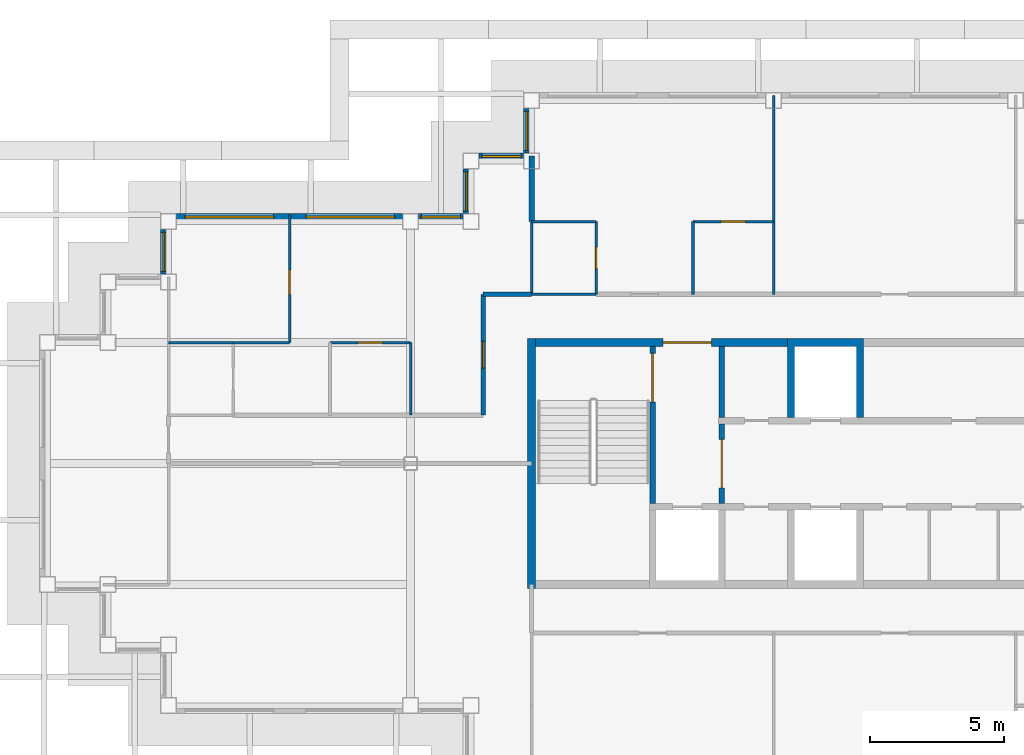
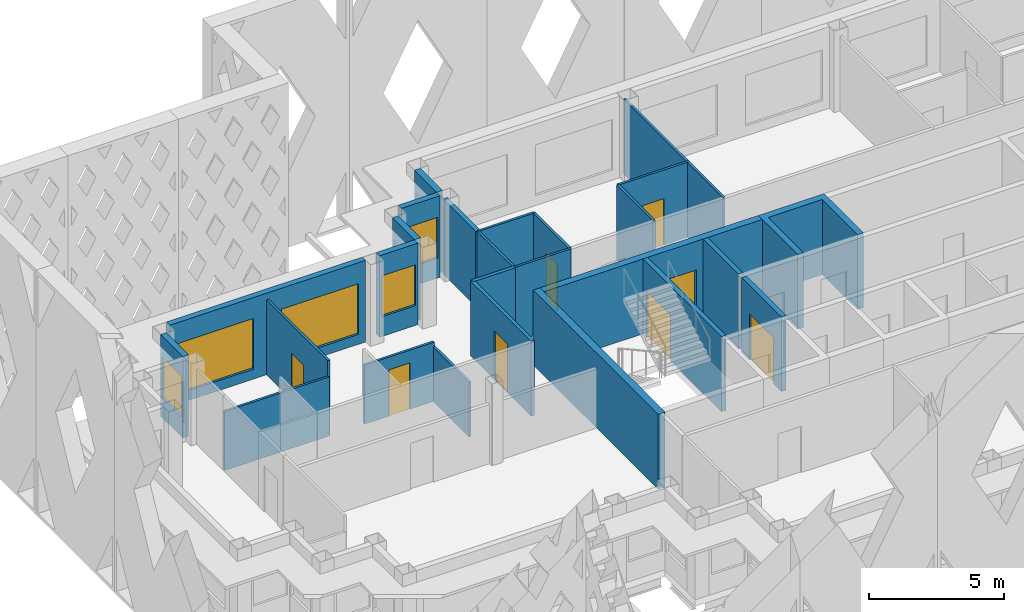
# One storey, part 3 of 13: 27 walls, 8 doors, 7 windows, 15 openings.
"""IFC4 building model written with IfcOpenShell, lengths in metres."""

from ifc_helpers import new_model, si_unit, direction, frame, frame_2d, origin, place, context, subcontext, project, spatial, polyline, rectangle, outline, extrude, material, layer, layer_set, type_object, element, fill, save


model = new_model("IFC4")

# Units and contexts
model_context = context("Model", 3, precision=1e-05, world=origin(), true_north=direction((0.0, 1.0)))
body_context = subcontext(model_context, "Body", "Model", "MODEL_VIEW")
ifc_project = project(units=[si_unit("LENGTHUNIT", "METRE"), si_unit("AREAUNIT", "SQUARE_METRE"), si_unit("VOLUMEUNIT", "CUBIC_METRE"), si_unit("PLANEANGLEUNIT", "RADIAN"), si_unit("MASSUNIT", "GRAM", prefix="KILO")], contexts=[model_context])

# Site, building, storey
site_placement = place(None, origin())
site = spatial("IfcSite", under=ifc_project, at=site_placement, CompositionType="ELEMENT")
building_placement = place(site_placement, origin())
building = spatial("IfcBuilding", under=site, at=building_placement, Name="Caravel Reach Hotel and Residences", CompositionType="ELEMENT")
storey_placement = place(building_placement, frame((0.0, 0.0, 267.5)))
storey = spatial("IfcBuildingStorey", under=building, at=storey_placement, Name="L68", CompositionType="ELEMENT", Elevation=267.5)

# Walls
ifc_material_1 = material(Name="Gypsum board on steel stud", Category="steel")
ifc_layer_1 = layer(ifc_material_1, 0.10009765625)
ifc_layer_set_1 = layer_set([ifc_layer_1], Name="Bathroom pod wall 100 mm")
wall_type_1 = type_object("IfcWallType", Name="Bathroom pod wall 100 mm", PredefinedType="PARTITIONING", material=ifc_layer_set_1)
wall_1_placement = place(storey_placement, frame((4.5, 31.5, 0.0), z_axis=(0.0, 0.0, 1.0), x_axis=(1.0, 0.0, 0.0)))
element("IfcWall", 1, at=wall_1_placement, inside=storey, type_object=wall_type_1, Name="L68 wall w053", PredefinedType="PARTITIONING", context=body_context, shape_type="SweptSolid", body=[
    extrude(rectangle(XDim=2.39990234375, YDim=0.10009765625, at=frame_2d((1.199951171875, 0.0))), origin(), (0.0, 0.0, 1.0), 2.679931640625),
])
for number, where, z_axis, x_axis, name in (
    (2, (18.0, 33.300048828125, 0.0), (0.0, 0.0, 1.0), (1.0, 0.0, 0.0), "L68 wall w054"),
    (3, (18.0, 36.0, 0.0), (0.0, 0.0, 1.0), (1.0, 0.0, 0.0), "L68 wall w056"),
):
    element("IfcWall", number, at=place(storey_placement, frame(where, z_axis=z_axis, x_axis=x_axis)), inside=storey, type_object=wall_type_1, Name=name, PredefinedType="PARTITIONING", context=body_context, shape_type="SweptSolid", body=[
        extrude(rectangle(XDim=2.39990234375, YDim=0.10009765625, at=frame_2d((1.199951171875, 0.0))), origin(), (0.0, 0.0, 1.0), 3.39990234375),
    ])
wall_2_placement = place(storey_placement, frame((18.0, 33.301025390625, 0.0), z_axis=(0.0, 0.0, 1.0), x_axis=(0.0, 1.0, 0.0)))
element("IfcWall", 4, at=wall_2_placement, inside=storey, type_object=wall_type_1, Name="L68 wall w058", PredefinedType="PARTITIONING", context=body_context, shape_type="SweptSolid", body=[
    extrude(rectangle(XDim=2.698974609375, YDim=0.10009765625, at=frame_2d((1.349609375, 0.0))), origin(), (0.0, 0.0, 1.0), 3.39990234375),
])

# Wall, opening, door
wall_3_placement = place(storey_placement, frame((20.39990234375, 33.300048828125, 0.0), z_axis=(0.0, 0.0, 1.0), x_axis=(0.0, 1.0, 0.0)))
wall_3 = element("IfcWall", 5, at=wall_3_placement, inside=storey, type_object=wall_type_1, Name="L68 wall w059", PredefinedType="PARTITIONING", context=body_context, shape_type="SweptSolid", body=[
    extrude(rectangle(XDim=2.699951171875, YDim=0.10009765625, at=frame_2d((1.35009765625, 0.0))), origin(), (0.0, 0.0, 1.0), 3.39990234375),
])
opening_1_placement = place(wall_3_placement, frame((0.949951171875, 0.0, 0.0)))
opening_1 = element("IfcOpeningElement", 6, at=opening_1_placement, cuts=wall_3, Name="Opening D68-018", PredefinedType="OPENING", context=body_context, shape_type="SweptSolid", body=[
    extrude(rectangle(XDim=0.800048828125, YDim=2.10009765625, at=frame_2d((0.39990234375, 1.050048828125))), frame((0.0, 0.06005859375, 0.0), z_axis=(0.0, -1.0, 0.0), x_axis=(1.0, 0.0, 0.0)), (0.0, 0.0, 1.0), 0.1201171875),
])
ifc_material_2 = material(Name="Timber and steel door leaf", Category="steel")
door_type_1 = type_object("IfcDoorType", Name="Bathroom door 800 x 2100", OperationType="SINGLE_SWING_LEFT", PredefinedType="DOOR", material=ifc_material_2)
door_1_placement = place(opening_1_placement, origin())
door_1 = element("IfcDoor", 7, at=door_1_placement, inside=storey, type_object=door_type_1, Name="door D68-018", OperationType="SINGLE_SWING_RIGHT", OverallHeight=2.10009765625, OverallWidth=0.800048828125, PredefinedType="DOOR", context=body_context, shape_type="SweptSolid", body=[
    extrude(rectangle(XDim=0.800048828125, YDim=2.10009765625, at=frame_2d((0.39990234375, 1.050048828125))), frame((0.0, 0.02490234375, 0.0), z_axis=(0.0, -1.0, 0.0), x_axis=(1.0, 0.0, 0.0)), (0.0, 0.0, 1.0), 0.050048828125),
])
fill(opening_1, door_1)

# Wall
ifc_material_3 = material(Name="Autoclaved aerated block wall")
ifc_layer_2 = layer(ifc_material_3, 0.199951171875)
ifc_layer_set_2 = layer_set([ifc_layer_2], Name="Compartment wall 200 mm EI 120")
wall_type_2 = type_object("IfcWallType", Name="Compartment wall 200 mm EI 120", PredefinedType="PARTITIONING", material=ifc_layer_set_2)
wall_4_placement = place(storey_placement, frame((25.071533203125, 28.72509765625, 0.0), z_axis=(0.0, 0.0, 1.0), x_axis=(0.0, 1.0, 0.0)))
element("IfcWall", 8, at=wall_4_placement, inside=storey, type_object=wall_type_2, Name="L68 store partition", PredefinedType="PARTITIONING", context=body_context, shape_type="SweptSolid", body=[
    extrude(rectangle(XDim=2.625, YDim=0.199951171875, at=frame_2d((1.3125, 0.0))), origin(), (0.0, 0.0, 1.0), 3.39990234375),
])

# Wall, opening, door
ifc_material_4 = material(Name="Concrete C60", Category="concrete")
ifc_layer_3 = layer(ifc_material_4, 0.300048828125)
ifc_layer_set_3 = layer_set([ifc_layer_3], Name="Core wall 300 mm EI 120")
wall_type_3 = type_object("IfcWallType", Name="Core wall 300 mm EI 120", PredefinedType="SHEAR", material=ifc_layer_set_3)
wall_5_placement = place(storey_placement, frame((18.14990234375, 31.5, 0.0), z_axis=(0.0, 0.0, 1.0), x_axis=(1.0, 0.0, 0.0)))
wall_5 = element("IfcWall", 9, at=wall_5_placement, inside=storey, type_object=wall_type_3, Name="L68 core wall N1", PredefinedType="SHEAR", context=body_context, shape_type="SweptSolid", body=[
    extrude(rectangle(XDim=9.367919921875, YDim=0.300048828125, at=frame_2d((4.68408203125, 0.0))), origin(), (0.0, 0.0, 1.0), 3.39990234375),
])
opening_2_placement = place(wall_5_placement, frame((4.735595703125, 0.0, 0.0)))
opening_2 = element("IfcOpeningElement", 10, at=opening_2_placement, cuts=wall_5, Name="Opening D68-015", PredefinedType="OPENING", context=body_context, shape_type="SweptSolid", body=[
    extrude(rectangle(XDim=1.800048828125, YDim=2.10009765625, at=frame_2d((0.89990234375, 1.050048828125))), frame((0.0, 0.159912109375, 0.0), z_axis=(0.0, -1.0, 0.0), x_axis=(1.0, 0.0, 0.0)), (0.0, 0.0, 1.0), 0.320068359375),
])
ifc_material_5 = material(Name="Steel fire door leaf", Category="steel")
door_type_2 = type_object("IfcDoorType", Name="Fire lobby door pair 1800 x 2100 EI 90", OperationType="DOUBLE_DOOR_SINGLE_SWING", PredefinedType="DOOR", material=ifc_material_5)
door_2_placement = place(opening_2_placement, origin())
door_2 = element("IfcDoor", 11, at=door_2_placement, inside=storey, type_object=door_type_2, Name="lobby N door pair to corridor", OperationType="DOUBLE_DOOR_SINGLE_SWING", OverallHeight=2.10009765625, OverallWidth=1.800048828125, PredefinedType="DOOR", context=body_context, shape_type="SweptSolid", body=[
    extrude(rectangle(XDim=1.800048828125, YDim=2.10009765625, at=frame_2d((0.89990234375, 1.050048828125))), frame((0.0, 0.02490234375, 0.0), z_axis=(0.0, -1.0, 0.0), x_axis=(1.0, 0.0, 0.0)), (0.0, 0.0, 1.0), 0.050048828125),
])
fill(opening_2, door_2)

# Walls
wall_6_placement = place(storey_placement, frame((18.0, 22.35009765625, 0.0), z_axis=(0.0, 0.0, 1.0), x_axis=(0.0, 1.0, 0.0)))
element("IfcWall", 12, at=wall_6_placement, inside=storey, type_object=wall_type_3, Name="L68 core wall W", PredefinedType="SHEAR", context=body_context, shape_type="SweptSolid", body=[
    extrude(rectangle(XDim=9.2998046875, YDim=0.300048828125, at=frame_2d((4.64990234375, 0.0))), origin(), (0.0, 0.0, 1.0), 3.39990234375),
])
ifc_material_6 = material(Name="Gypsum board on steel stud, fire-rated", Category="steel")
ifc_layer_4 = layer(ifc_material_6, 0.14990234375)
ifc_layer_set_4 = layer_set([ifc_layer_4], Name="Corridor wall 150 mm EI 60")
wall_type_4 = type_object("IfcWallType", Name="Corridor wall 150 mm EI 60", PredefinedType="PARTITIONING", material=ifc_layer_set_4)
wall_7_placement = place(storey_placement, frame((16.199951171875, 33.300048828125, 0.0), z_axis=(0.0, 0.0, 1.0), x_axis=(1.0, 0.0, 0.0)))
element("IfcWall", 13, at=wall_7_placement, inside=storey, type_object=wall_type_4, Name="L68 wall w016", PredefinedType="PARTITIONING", context=body_context, shape_type="SweptSolid", body=[
    extrude(rectangle(XDim=1.799072265625, YDim=0.14990234375, at=frame_2d((0.8994140625, 0.0))), origin(), (0.0, 0.0, 1.0), 3.39990234375),
])

# Wall, opening, door
wall_8_placement = place(storey_placement, frame((16.199951171875, 28.801025390625, 0.0), z_axis=(0.0, 0.0, 1.0), x_axis=(0.0, 1.0, 0.0)))
wall_8 = element("IfcWall", 14, at=wall_8_placement, inside=storey, type_object=wall_type_4, Name="L68 wall w017", PredefinedType="PARTITIONING", context=body_context, shape_type="SweptSolid", body=[
    extrude(rectangle(XDim=4.4990234375, YDim=0.14990234375, at=frame_2d((2.24951171875, 0.0))), origin(), (0.0, 0.0, 1.0), 3.39990234375),
])
opening_3_placement = place(wall_8_placement, frame((1.74951171875, 0.0, 0.0)))
opening_3 = element("IfcOpeningElement", 15, at=opening_3_placement, cuts=wall_8, Name="Opening D68-025", PredefinedType="OPENING", context=body_context, shape_type="SweptSolid", body=[
    extrude(rectangle(XDim=1.0, YDim=2.199951171875, at=frame_2d((0.5, 1.10009765625))), frame((0.0, 0.0849609375, 0.0), z_axis=(0.0, -1.0, 0.0), x_axis=(1.0, 0.0, 0.0)), (0.0, 0.0, 1.0), 0.169921875),
])
ifc_material_7 = material(Name="Steel fire door leaf", Category="steel")
door_type_3 = type_object("IfcDoorType", Name="Flat entrance door 1000 x 2200 EI 60", OperationType="SINGLE_SWING_LEFT", PredefinedType="DOOR", material=ifc_material_7)
door_3_placement = place(opening_3_placement, origin())
door_3 = element("IfcDoor", 16, at=door_3_placement, inside=storey, type_object=door_type_3, Name="door D68-025", OperationType="SINGLE_SWING_LEFT", OverallHeight=2.199951171875, OverallWidth=1.0, PredefinedType="DOOR", context=body_context, shape_type="SweptSolid", body=[
    extrude(rectangle(XDim=1.0, YDim=2.199951171875, at=frame_2d((0.5, 1.10009765625))), frame((0.0, 0.02490234375, 0.0), z_axis=(0.0, -1.0, 0.0), x_axis=(1.0, 0.0, 0.0)), (0.0, 0.0, 1.0), 0.050048828125),
])
fill(opening_3, door_3)

# Wall, opening, window
ifc_material_8 = material(Name="Insulated rainscreen wall, aluminium cladding", Category="aluminium")
ifc_layer_5 = layer(ifc_material_8, 0.25)
ifc_layer_set_5 = layer_set([ifc_layer_5], Name="EW1 Tower rainscreen wall")
wall_type_5 = type_object("IfcWallType", Name="EW1 Tower rainscreen wall", PredefinedType="SOLIDWALL", material=ifc_layer_set_5)
wall_9_placement = place(storey_placement, frame((17.824951171875, 40.199951171875, 0.0), z_axis=(0.0, 0.0, 1.0), x_axis=(0.0, -1.0, 0.0)))
wall_9 = element("IfcWall", 17, at=wall_9_placement, inside=storey, type_object=wall_type_5, Name="External wall L68 W15.1", PredefinedType="SOLIDWALL", context=body_context, shape_type="SweptSolid", body=[
    extrude(rectangle(XDim=1.64990234375, YDim=0.25, at=frame_2d((0.824951171875, 0.0))), origin(), (0.0, 0.0, 1.0), 3.699951171875),
])
opening_4_placement = place(wall_9_placement, frame((0.10009765625, 0.0, 0.89990234375)))
opening_4 = element("IfcOpeningElement", 18, at=opening_4_placement, cuts=wall_9, Name="Opening WN25", PredefinedType="OPENING", context=body_context, shape_type="SweptSolid", body=[
    extrude(rectangle(XDim=1.449951171875, YDim=1.85009765625, at=frame_2d((0.72509765625, 0.925048828125))), frame((0.0, 0.135009765625, 0.0), z_axis=(0.0, -1.0, 0.0), x_axis=(1.0, 0.0, 0.0)), (0.0, 0.0, 1.0), 0.27001953125),
])
ifc_material_9 = material(Name="Dark low-e glazing in black aluminium frame", Category="aluminium")
window_type_1 = type_object("IfcWindowType", Name="Residence bedroom window 1450 x 1850", PartitioningType="SINGLE_PANEL", PredefinedType="WINDOW", material=ifc_material_9)
window_1_placement = place(opening_4_placement, origin())
window_1 = element("IfcWindow", 19, at=window_1_placement, inside=storey, type_object=window_type_1, Name="Window L68 W15.1.1", OverallHeight=1.85009765625, OverallWidth=1.449951171875, PartitioningType="SINGLE_PANEL", PredefinedType="WINDOW", context=body_context, shape_type="SweptSolid", body=[
    extrude(rectangle(XDim=1.449951171875, YDim=1.85009765625, at=frame_2d((0.72509765625, 0.925048828125))), frame((0.0, 0.030029296875, 0.0), z_axis=(0.0, -1.0, 0.0), x_axis=(1.0, 0.0, 0.0)), (0.0, 0.0, 1.0), 0.06005859375),
])
fill(opening_4, window_1)

wall_10_placement = place(storey_placement, frame((17.699951171875, 38.425048828125, 0.0), z_axis=(0.0, 0.0, 1.0), x_axis=(-1.0, 0.0, 0.0)))
wall_10 = element("IfcWall", 20, at=wall_10_placement, inside=storey, type_object=wall_type_5, Name="External wall L68 N16.1", PredefinedType="SOLIDWALL", context=body_context, shape_type="SweptSolid", body=[
    extrude(rectangle(XDim=1.64990234375, YDim=0.25, at=frame_2d((0.824951171875, 0.0))), origin(), (0.0, 0.0, 1.0), 3.699951171875),
])
opening_5_placement = place(wall_10_placement, frame((0.10009765625, 0.0, 0.89990234375)))
opening_5 = element("IfcOpeningElement", 21, at=opening_5_placement, cuts=wall_10, Name="Opening WN25", PredefinedType="OPENING", context=body_context, shape_type="SweptSolid", body=[
    extrude(rectangle(XDim=1.449951171875, YDim=1.85009765625, at=frame_2d((0.72509765625, 0.925048828125))), frame((0.0, 0.135009765625, 0.0), z_axis=(0.0, -1.0, 0.0), x_axis=(1.0, 0.0, 0.0)), (0.0, 0.0, 1.0), 0.27001953125),
])
window_2_placement = place(opening_5_placement, origin())
window_2 = element("IfcWindow", 22, at=window_2_placement, inside=storey, type_object=window_type_1, Name="Window L68 N16.1.1", OverallHeight=1.85009765625, OverallWidth=1.449951171875, PartitioningType="SINGLE_PANEL", PredefinedType="WINDOW", context=body_context, shape_type="SweptSolid", body=[
    extrude(rectangle(XDim=1.449951171875, YDim=1.85009765625, at=frame_2d((0.72509765625, 0.925048828125))), frame((0.0, 0.030029296875, 0.0), z_axis=(0.0, -1.0, 0.0), x_axis=(1.0, 0.0, 0.0)), (0.0, 0.0, 1.0), 0.06005859375),
])
fill(opening_5, window_2)

wall_11_placement = place(storey_placement, frame((15.574951171875, 37.949951171875, 0.0), z_axis=(0.0, 0.0, 1.0), x_axis=(0.0, -1.0, 0.0)))
wall_11 = element("IfcWall", 23, at=wall_11_placement, inside=storey, type_object=wall_type_5, Name="External wall L68 W17.1", PredefinedType="SOLIDWALL", context=body_context, shape_type="SweptSolid", body=[
    extrude(rectangle(XDim=1.64990234375, YDim=0.25, at=frame_2d((0.824951171875, 0.0))), origin(), (0.0, 0.0, 1.0), 3.699951171875),
])
opening_6_placement = place(wall_11_placement, frame((0.10009765625, 0.0, 0.89990234375)))
opening_6 = element("IfcOpeningElement", 24, at=opening_6_placement, cuts=wall_11, Name="Opening WN25", PredefinedType="OPENING", context=body_context, shape_type="SweptSolid", body=[
    extrude(rectangle(XDim=1.449951171875, YDim=1.85009765625, at=frame_2d((0.72509765625, 0.925048828125))), frame((0.0, 0.135009765625, 0.0), z_axis=(0.0, -1.0, 0.0), x_axis=(1.0, 0.0, 0.0)), (0.0, 0.0, 1.0), 0.27001953125),
])
window_3_placement = place(opening_6_placement, origin())
window_3 = element("IfcWindow", 25, at=window_3_placement, inside=storey, type_object=window_type_1, Name="Window L68 W17.1.1", OverallHeight=1.85009765625, OverallWidth=1.449951171875, PartitioningType="SINGLE_PANEL", PredefinedType="WINDOW", context=body_context, shape_type="SweptSolid", body=[
    extrude(rectangle(XDim=1.449951171875, YDim=1.85009765625, at=frame_2d((0.72509765625, 0.925048828125))), frame((0.0, 0.030029296875, 0.0), z_axis=(0.0, -1.0, 0.0), x_axis=(1.0, 0.0, 0.0)), (0.0, 0.0, 1.0), 0.06005859375),
])
fill(opening_6, window_3)

wall_12_placement = place(storey_placement, frame((15.449951171875, 36.175048828125, 0.0), z_axis=(0.0, 0.0, 1.0), x_axis=(-1.0, 0.0, 0.0)))
wall_12 = element("IfcWall", 26, at=wall_12_placement, inside=storey, type_object=wall_type_5, Name="External wall L68 N18.1", PredefinedType="SOLIDWALL", context=body_context, shape_type="SweptSolid", body=[
    extrude(rectangle(XDim=1.64990234375, YDim=0.25, at=frame_2d((0.824951171875, 0.0))), origin(), (0.0, 0.0, 1.0), 3.699951171875),
])
opening_7_placement = place(wall_12_placement, frame((0.10009765625, 0.0, 0.89990234375)))
opening_7 = element("IfcOpeningElement", 27, at=opening_7_placement, cuts=wall_12, Name="Opening WN25", PredefinedType="OPENING", context=body_context, shape_type="SweptSolid", body=[
    extrude(rectangle(XDim=1.449951171875, YDim=1.85009765625, at=frame_2d((0.72509765625, 0.925048828125))), frame((0.0, 0.135009765625, 0.0), z_axis=(0.0, -1.0, 0.0), x_axis=(1.0, 0.0, 0.0)), (0.0, 0.0, 1.0), 0.27001953125),
])
window_4_placement = place(opening_7_placement, origin())
window_4 = element("IfcWindow", 28, at=window_4_placement, inside=storey, type_object=window_type_1, Name="Window L68 N18.1.1", OverallHeight=1.85009765625, OverallWidth=1.449951171875, PartitioningType="SINGLE_PANEL", PredefinedType="WINDOW", context=body_context, shape_type="SweptSolid", body=[
    extrude(rectangle(XDim=1.449951171875, YDim=1.85009765625, at=frame_2d((0.72509765625, 0.925048828125))), frame((0.0, 0.030029296875, 0.0), z_axis=(0.0, -1.0, 0.0), x_axis=(1.0, 0.0, 0.0)), (0.0, 0.0, 1.0), 0.06005859375),
])
fill(opening_7, window_4)

# Wall, openings, windows
wall_13_placement = place(storey_placement, frame((13.199951171875, 36.175048828125, 0.0), z_axis=(0.0, 0.0, 1.0), x_axis=(-1.0, 0.0, 0.0)))
wall_13 = element("IfcWall", 29, at=wall_13_placement, inside=storey, type_object=wall_type_5, Name="External wall L68 N18.2", PredefinedType="SOLIDWALL", context=body_context, shape_type="SweptSolid", body=[
    extrude(rectangle(XDim=8.39990234375, YDim=0.25, at=frame_2d((4.199951171875, 0.0))), origin(), (0.0, 0.0, 1.0), 3.699951171875),
])
opening_8_placement = place(wall_13_placement, frame((0.300048828125, 0.0, 0.449951171875)))
opening_8 = element("IfcOpeningElement", 30, at=opening_8_placement, cuts=wall_13, Name="Opening WN15", PredefinedType="OPENING", context=body_context, shape_type="SweptSolid", body=[
    extrude(rectangle(XDim=3.300048828125, YDim=2.300048828125, at=frame_2d((1.64990234375, 1.14990234375))), frame((0.0, 0.135009765625, 0.0), z_axis=(0.0, -1.0, 0.0), x_axis=(1.0, 0.0, 0.0)), (0.0, 0.0, 1.0), 0.27001953125),
])
opening_9_placement = place(wall_13_placement, frame((4.800048828125, 0.0, 0.449951171875)))
opening_9 = element("IfcOpeningElement", 31, at=opening_9_placement, cuts=wall_13, Name="Opening WN15", PredefinedType="OPENING", context=body_context, shape_type="SweptSolid", body=[
    extrude(rectangle(XDim=3.300048828125, YDim=2.300048828125, at=frame_2d((1.64990234375, 1.14990234375))), frame((0.0, 0.135009765625, 0.0), z_axis=(0.0, -1.0, 0.0), x_axis=(1.0, 0.0, 0.0)), (0.0, 0.0, 1.0), 0.27001953125),
])
ifc_material_10 = material(Name="Dark low-e glazing in black aluminium frame", Category="aluminium")
window_type_2 = type_object("IfcWindowType", Name="Residence living window 3300 x 2300", PartitioningType="SINGLE_PANEL", PredefinedType="WINDOW", material=ifc_material_10)
window_5_placement = place(opening_8_placement, origin())
window_5 = element("IfcWindow", 32, at=window_5_placement, inside=storey, type_object=window_type_2, Name="Window L68 N18.2.1", OverallHeight=2.300048828125, OverallWidth=3.300048828125, PartitioningType="SINGLE_PANEL", PredefinedType="WINDOW", context=body_context, shape_type="SweptSolid", body=[
    extrude(rectangle(XDim=3.300048828125, YDim=2.300048828125, at=frame_2d((1.64990234375, 1.14990234375))), frame((0.0, 0.030029296875, 0.0), z_axis=(0.0, -1.0, 0.0), x_axis=(1.0, 0.0, 0.0)), (0.0, 0.0, 1.0), 0.06005859375),
])
fill(opening_8, window_5)
window_6_placement = place(opening_9_placement, origin())
window_6 = element("IfcWindow", 33, at=window_6_placement, inside=storey, type_object=window_type_2, Name="Window L68 N18.2.2", OverallHeight=2.300048828125, OverallWidth=3.300048828125, PartitioningType="SINGLE_PANEL", PredefinedType="WINDOW", context=body_context, shape_type="SweptSolid", body=[
    extrude(rectangle(XDim=3.300048828125, YDim=2.300048828125, at=frame_2d((1.64990234375, 1.14990234375))), frame((0.0, 0.030029296875, 0.0), z_axis=(0.0, -1.0, 0.0), x_axis=(1.0, 0.0, 0.0)), (0.0, 0.0, 1.0), 0.06005859375),
])
fill(opening_9, window_6)

# Wall, opening, window
wall_14_placement = place(storey_placement, frame((4.324951171875, 35.699951171875, 0.0), z_axis=(0.0, 0.0, 1.0), x_axis=(0.0, -1.0, 0.0)))
wall_14 = element("IfcWall", 34, at=wall_14_placement, inside=storey, type_object=wall_type_5, Name="External wall L68 W19.1", PredefinedType="SOLIDWALL", context=body_context, shape_type="SweptSolid", body=[
    extrude(rectangle(XDim=1.64990234375, YDim=0.25, at=frame_2d((0.824951171875, 0.0))), origin(), (0.0, 0.0, 1.0), 3.699951171875),
])
opening_10_placement = place(wall_14_placement, frame((0.10009765625, 0.0, 0.89990234375)))
opening_10 = element("IfcOpeningElement", 35, at=opening_10_placement, cuts=wall_14, Name="Opening WN25", PredefinedType="OPENING", context=body_context, shape_type="SweptSolid", body=[
    extrude(rectangle(XDim=1.449951171875, YDim=1.85009765625, at=frame_2d((0.72509765625, 0.925048828125))), frame((0.0, 0.135009765625, 0.0), z_axis=(0.0, -1.0, 0.0), x_axis=(1.0, 0.0, 0.0)), (0.0, 0.0, 1.0), 0.27001953125),
])
window_7_placement = place(opening_10_placement, origin())
window_7 = element("IfcWindow", 36, at=window_7_placement, inside=storey, type_object=window_type_1, Name="Window L68 W19.1.1", OverallHeight=1.85009765625, OverallWidth=1.449951171875, PartitioningType="SINGLE_PANEL", PredefinedType="WINDOW", context=body_context, shape_type="SweptSolid", body=[
    extrude(rectangle(XDim=1.449951171875, YDim=1.85009765625, at=frame_2d((0.72509765625, 0.925048828125))), frame((0.0, 0.030029296875, 0.0), z_axis=(0.0, -1.0, 0.0), x_axis=(1.0, 0.0, 0.0)), (0.0, 0.0, 1.0), 0.06005859375),
])
fill(opening_10, window_7)

# Wall, opening, door
ifc_material_11 = material(Name="Autoclaved aerated block wall")
ifc_layer_6 = layer(ifc_material_11, 0.199951171875)
ifc_layer_set_6 = layer_set([ifc_layer_6], Name="Fire lobby wall 200 mm EI 120")
wall_type_6 = type_object("IfcWallType", Name="Fire lobby wall 200 mm EI 120", PredefinedType="PARTITIONING", material=ifc_layer_set_6)
wall_15_placement = place(storey_placement, frame((25.071533203125, 25.52490234375, 0.0), z_axis=(0.0, 0.0, 1.0), x_axis=(0.0, 1.0, 0.0)))
wall_15 = element("IfcWall", 37, at=wall_15_placement, inside=storey, type_object=wall_type_6, Name="L68 lobby W wall", PredefinedType="PARTITIONING", context=body_context, shape_type="SweptSolid", body=[
    extrude(rectangle(XDim=2.9501953125, YDim=0.199951171875, at=frame_2d((1.47509765625, 0.0))), origin(), (0.0, 0.0, 1.0), 3.39990234375),
])
opening_11_placement = place(wall_15_placement, frame((0.574951171875, 0.0, 0.0)))
opening_11 = element("IfcOpeningElement", 38, at=opening_11_placement, cuts=wall_15, Name="Opening D68-013", PredefinedType="OPENING", context=body_context, shape_type="SweptSolid", body=[
    extrude(rectangle(XDim=1.800048828125, YDim=2.10009765625, at=frame_2d((0.89990234375, 1.050048828125))), frame((0.0, 0.10986328125, 0.0), z_axis=(0.0, -1.0, 0.0), x_axis=(1.0, 0.0, 0.0)), (0.0, 0.0, 1.0), 0.219970703125),
])
door_4_placement = place(opening_11_placement, origin())
door_4 = element("IfcDoor", 39, at=door_4_placement, inside=storey, type_object=door_type_2, Name="lobby W door pair", OperationType="DOUBLE_DOOR_SINGLE_SWING", OverallHeight=2.10009765625, OverallWidth=1.800048828125, PredefinedType="DOOR", context=body_context, shape_type="SweptSolid", body=[
    extrude(rectangle(XDim=1.800048828125, YDim=2.10009765625, at=frame_2d((0.89990234375, 1.050048828125))), frame((0.0, 0.02490234375, 0.0), z_axis=(0.0, -1.0, 0.0), x_axis=(1.0, 0.0, 0.0)), (0.0, 0.0, 1.0), 0.050048828125),
])
fill(opening_11, door_4)

# Wall
ifc_material_12 = material(Name="Gypsum board on steel stud", Category="steel")
ifc_layer_7 = layer(ifc_material_12, 0.10009765625)
ifc_layer_set_7 = layer_set([ifc_layer_7], Name="Partition 100 mm")
wall_type_7 = type_object("IfcWallType", Name="Partition 100 mm", PredefinedType="PARTITIONING", material=ifc_layer_set_7)
wall_16_placement = place(storey_placement, frame((6.89990234375, 31.5, 0.0), z_axis=(0.0, 0.0, 1.0), x_axis=(1.0, 0.0, 0.0)))
element("IfcWall", 40, at=wall_16_placement, inside=storey, type_object=wall_type_7, Name="L68 wall w024", PredefinedType="PARTITIONING", context=body_context, shape_type="SweptSolid", body=[
    extrude(rectangle(XDim=2.10009765625, YDim=0.10009765625, at=frame_2d((1.050048828125, 0.0))), origin(), (0.0, 0.0, 1.0), 2.679931640625),
])

# Wall, opening, door
wall_17_placement = place(storey_placement, frame((10.5, 31.5, 0.0), z_axis=(0.0, 0.0, 1.0), x_axis=(1.0, 0.0, 0.0)))
wall_17 = element("IfcWall", 41, at=wall_17_placement, inside=storey, type_object=wall_type_7, Name="L68 wall w025", PredefinedType="PARTITIONING", context=body_context, shape_type="SweptSolid", body=[
    extrude(rectangle(XDim=3.0, YDim=0.10009765625, at=frame_2d((1.5, 0.0))), origin(), (0.0, 0.0, 1.0), 2.679931640625),
])
opening_12_placement = place(wall_17_placement, frame((1.050048828125, 0.0, 0.0)))
opening_12 = element("IfcOpeningElement", 42, at=opening_12_placement, cuts=wall_17, Name="Opening D68-027", PredefinedType="OPENING", context=body_context, shape_type="SweptSolid", body=[
    extrude(rectangle(XDim=0.89990234375, YDim=2.10009765625, at=frame_2d((0.449951171875, 1.050048828125))), frame((0.0, 0.06005859375, 0.0), z_axis=(0.0, -1.0, 0.0), x_axis=(1.0, 0.0, 0.0)), (0.0, 0.0, 1.0), 0.1201171875),
])
ifc_material_13 = material(Name="Timber and steel door leaf", Category="steel")
door_type_4 = type_object("IfcDoorType", Name="Door 900 x 2100 timber", OperationType="SINGLE_SWING_LEFT", PredefinedType="DOOR", material=ifc_material_13)
door_5_placement = place(opening_12_placement, origin())
door_5 = element("IfcDoor", 43, at=door_5_placement, inside=storey, type_object=door_type_4, Name="door D68-027", OperationType="SINGLE_SWING_RIGHT", OverallHeight=2.10009765625, OverallWidth=0.89990234375, PredefinedType="DOOR", context=body_context, shape_type="SweptSolid", body=[
    extrude(rectangle(XDim=0.89990234375, YDim=2.10009765625, at=frame_2d((0.449951171875, 1.050048828125))), frame((0.0, 0.02490234375, 0.0), z_axis=(0.0, -1.0, 0.0), x_axis=(1.0, 0.0, 0.0)), (0.0, 0.0, 1.0), 0.050048828125),
])
fill(opening_12, door_5)

wall_18_placement = place(storey_placement, frame((24.0, 36.0, 0.0), z_axis=(0.0, 0.0, 1.0), x_axis=(1.0, 0.0, 0.0)))
wall_18 = element("IfcWall", 44, at=wall_18_placement, inside=storey, type_object=wall_type_7, Name="L68 wall w026", PredefinedType="PARTITIONING", context=body_context, shape_type="SweptSolid", body=[
    extrude(rectangle(XDim=3.0, YDim=0.10009765625, at=frame_2d((1.5, 0.0))), origin(), (0.0, 0.0, 1.0), 3.39990234375),
])
opening_13_placement = place(wall_18_placement, frame((1.050048828125, 0.0, 0.0)))
opening_13 = element("IfcOpeningElement", 45, at=opening_13_placement, cuts=wall_18, Name="Opening D68-019", PredefinedType="OPENING", context=body_context, shape_type="SweptSolid", body=[
    extrude(rectangle(XDim=0.89990234375, YDim=2.10009765625, at=frame_2d((0.449951171875, 1.050048828125))), frame((0.0, 0.06005859375, 0.0), z_axis=(0.0, -1.0, 0.0), x_axis=(1.0, 0.0, 0.0)), (0.0, 0.0, 1.0), 0.1201171875),
])
door_6_placement = place(opening_13_placement, origin())
door_6 = element("IfcDoor", 46, at=door_6_placement, inside=storey, type_object=door_type_4, Name="door D68-019", OperationType="SINGLE_SWING_RIGHT", OverallHeight=2.10009765625, OverallWidth=0.89990234375, PredefinedType="DOOR", context=body_context, shape_type="SweptSolid", body=[
    extrude(rectangle(XDim=0.89990234375, YDim=2.10009765625, at=frame_2d((0.449951171875, 1.050048828125))), frame((0.0, 0.02490234375, 0.0), z_axis=(0.0, -1.0, 0.0), x_axis=(1.0, 0.0, 0.0)), (0.0, 0.0, 1.0), 0.050048828125),
])
fill(opening_13, door_6)

# Walls
wall_19_placement = place(storey_placement, frame((13.5, 28.801025390625, 0.0), z_axis=(0.0, 0.0, 1.0), x_axis=(0.0, 1.0, 0.0)))
element("IfcWall", 47, at=wall_19_placement, inside=storey, type_object=wall_type_7, Name="L68 wall w030", PredefinedType="PARTITIONING", context=body_context, shape_type="SweptSolid", body=[
    extrude(rectangle(XDim=2.698974609375, YDim=0.10009765625, at=frame_2d((1.349609375, 0.0))), origin(), (0.0, 0.0, 1.0), 2.47998046875),
])
wall_20_placement = place(storey_placement, frame((24.0, 33.300048828125, 0.0), z_axis=(0.0, 0.0, 1.0), x_axis=(0.0, 1.0, 0.0)))
element("IfcWall", 48, at=wall_20_placement, inside=storey, type_object=wall_type_7, Name="L68 wall w033", PredefinedType="PARTITIONING", context=body_context, shape_type="SweptSolid", body=[
    extrude(rectangle(XDim=2.699951171875, YDim=0.10009765625, at=frame_2d((1.35009765625, 0.0))), origin(), (0.0, 0.0, 1.0), 3.39990234375),
])
wall_21_placement = place(storey_placement, frame((27.0, 33.300048828125, 0.0), z_axis=(0.0, 0.0, 1.0), x_axis=(0.0, 1.0, 0.0)))
element("IfcWall", 49, at=wall_21_placement, inside=storey, type_object=wall_type_7, Name="L68 wall w035", PredefinedType="PARTITIONING", context=body_context, shape_type="SweptSolid", body=[
    extrude(rectangle(XDim=7.389892578125, YDim=0.10009765625, at=frame_2d((3.69482421875, 0.0))), origin(), (0.0, 0.0, 1.0), 3.39990234375),
])

# Wall, opening, door
wall_22_placement = place(storey_placement, frame((9.0, 31.5, 0.0), z_axis=(0.0, 0.0, 1.0), x_axis=(0.0, 1.0, 0.0)))
wall_22 = element("IfcWall", 50, at=wall_22_placement, inside=storey, type_object=wall_type_7, Name="L68 wall w048", PredefinedType="PARTITIONING", context=body_context, shape_type="SweptSolid", body=[
    extrude(rectangle(XDim=4.739990234375, YDim=0.10009765625, at=frame_2d((2.3701171875, 0.0))), origin(), (0.0, 0.0, 1.0), 3.39990234375),
])
opening_14_placement = place(wall_22_placement, frame((1.800048828125, 0.0, 0.0)))
opening_14 = element("IfcOpeningElement", 51, at=opening_14_placement, cuts=wall_22, Name="Opening D68-028", PredefinedType="OPENING", context=body_context, shape_type="SweptSolid", body=[
    extrude(rectangle(XDim=0.89990234375, YDim=2.10009765625, at=frame_2d((0.449951171875, 1.050048828125))), frame((0.0, 0.06005859375, 0.0), z_axis=(0.0, -1.0, 0.0), x_axis=(1.0, 0.0, 0.0)), (0.0, 0.0, 1.0), 0.1201171875),
])
door_7_placement = place(opening_14_placement, origin())
door_7 = element("IfcDoor", 52, at=door_7_placement, inside=storey, type_object=door_type_4, Name="door D68-028", OperationType="SINGLE_SWING_RIGHT", OverallHeight=2.10009765625, OverallWidth=0.89990234375, PredefinedType="DOOR", context=body_context, shape_type="SweptSolid", body=[
    extrude(rectangle(XDim=0.89990234375, YDim=2.10009765625, at=frame_2d((0.449951171875, 1.050048828125))), frame((0.0, 0.02490234375, 0.0), z_axis=(0.0, -1.0, 0.0), x_axis=(1.0, 0.0, 0.0)), (0.0, 0.0, 1.0), 0.050048828125),
])
fill(opening_14, door_7)

# Walls
ifc_material_14 = material(Name="Autoclaved aerated block wall")
ifc_layer_8 = layer(ifc_material_14, 0.199951171875)
ifc_layer_set_8 = layer_set([ifc_layer_8], Name="Party wall 200 mm EI 60")
wall_type_8 = type_object("IfcWallType", Name="Party wall 200 mm EI 60", PredefinedType="PARTITIONING", material=ifc_layer_set_8)
wall_23_placement = place(storey_placement, frame((18.0, 36.0, 0.0), z_axis=(0.0, 0.0, 1.0), x_axis=(0.0, 1.0, 0.0)))
element("IfcWall", 53, at=wall_23_placement, inside=storey, type_object=wall_type_8, Name="L68 wall w049", PredefinedType="PARTITIONING", context=body_context, shape_type="SweptSolid", body=[
    extrude(rectangle(XDim=2.43994140625, YDim=0.199951171875, at=frame_2d((1.219970703125, 0.0))), origin(), (0.0, 0.0, 1.0), 3.39990234375),
])
ifc_material_15 = material(Name="Concrete C60", Category="concrete")
ifc_layer_9 = layer(ifc_material_15, 0.25)
ifc_layer_set_9 = layer_set([ifc_layer_9], Name="Shaft wall 250 mm EI 120")
wall_type_9 = type_object("IfcWallType", Name="Shaft wall 250 mm EI 120", PredefinedType="SHEAR", material=ifc_layer_set_9)
wall_24_placement = place(storey_placement, origin())
element("IfcWall", 54, at=wall_24_placement, inside=storey, type_object=wall_type_9, Name="L68 lift shaft wall N1", PredefinedType="SHEAR", context=body_context, shape_type="SweptSolid", body=[
    extrude(outline(polyline([(27.517822265625, 28.72509765625), (27.767822265625, 28.72509765625), (27.767822265625, 31.35009765625), (30.08935546875, 31.35009765625), (30.08935546875, 28.72509765625), (30.33935546875, 28.72509765625), (30.33935546875, 31.64990234375), (27.517822265625, 31.64990234375), (27.517822265625, 28.72509765625)])), origin(), (0.0, 0.0, 1.0), 3.39990234375),
])

# Wall, opening, door
ifc_material_16 = material(Name="Concrete C60", Category="concrete")
ifc_layer_10 = layer(ifc_material_16, 0.199951171875)
ifc_layer_set_10 = layer_set([ifc_layer_10], Name="Stair enclosure wall 200 mm EI 120")
wall_type_10 = type_object("IfcWallType", Name="Stair enclosure wall 200 mm EI 120", PredefinedType="SHEAR", material=ifc_layer_set_10)
wall_25_placement = place(storey_placement, frame((22.5, 31.35009765625, 0.0), z_axis=(0.0, 0.0, 1.0), x_axis=(0.0, -1.0, 0.0)))
wall_25 = element("IfcWall", 55, at=wall_25_placement, inside=storey, type_object=wall_type_10, Name="L68 stair A wall", PredefinedType="SHEAR", context=body_context, shape_type="SweptSolid", body=[
    extrude(rectangle(XDim=5.8251953125, YDim=0.199951171875, at=frame_2d((2.91259765625, 0.0))), origin(), (0.0, 0.0, 1.0), 3.39990234375),
])
opening_15_placement = place(wall_25_placement, frame((0.25, 0.0, 0.0)))
opening_15 = element("IfcOpeningElement", 56, at=opening_15_placement, cuts=wall_25, Name="Opening D68-011", PredefinedType="OPENING", context=body_context, shape_type="SweptSolid", body=[
    extrude(rectangle(XDim=1.800048828125, YDim=2.10009765625, at=frame_2d((0.89990234375, 1.050048828125))), frame((0.0, 0.10986328125, 0.0), z_axis=(0.0, -1.0, 0.0), x_axis=(1.0, 0.0, 0.0)), (0.0, 0.0, 1.0), 0.219970703125),
])
ifc_material_17 = material(Name="Steel fire door leaf", Category="steel")
door_type_5 = type_object("IfcDoorType", Name="Stair door pair 1800 x 2100 EI 90", OperationType="DOUBLE_DOOR_SINGLE_SWING", PredefinedType="DOOR", material=ifc_material_17)
door_8_placement = place(opening_15_placement, origin())
door_8 = element("IfcDoor", 57, at=door_8_placement, inside=storey, type_object=door_type_5, Name="stair A door pair", OperationType="DOUBLE_DOOR_SINGLE_SWING", OverallHeight=2.10009765625, OverallWidth=1.800048828125, PredefinedType="DOOR", context=body_context, shape_type="SweptSolid", body=[
    extrude(rectangle(XDim=1.800048828125, YDim=2.10009765625, at=frame_2d((0.89990234375, 1.050048828125))), frame((0.0, 0.02490234375, 0.0), z_axis=(0.0, -1.0, 0.0), x_axis=(1.0, 0.0, 0.0)), (0.0, 0.0, 1.0), 0.050048828125),
])
fill(opening_15, door_8)

save(model, "model.ifc")
